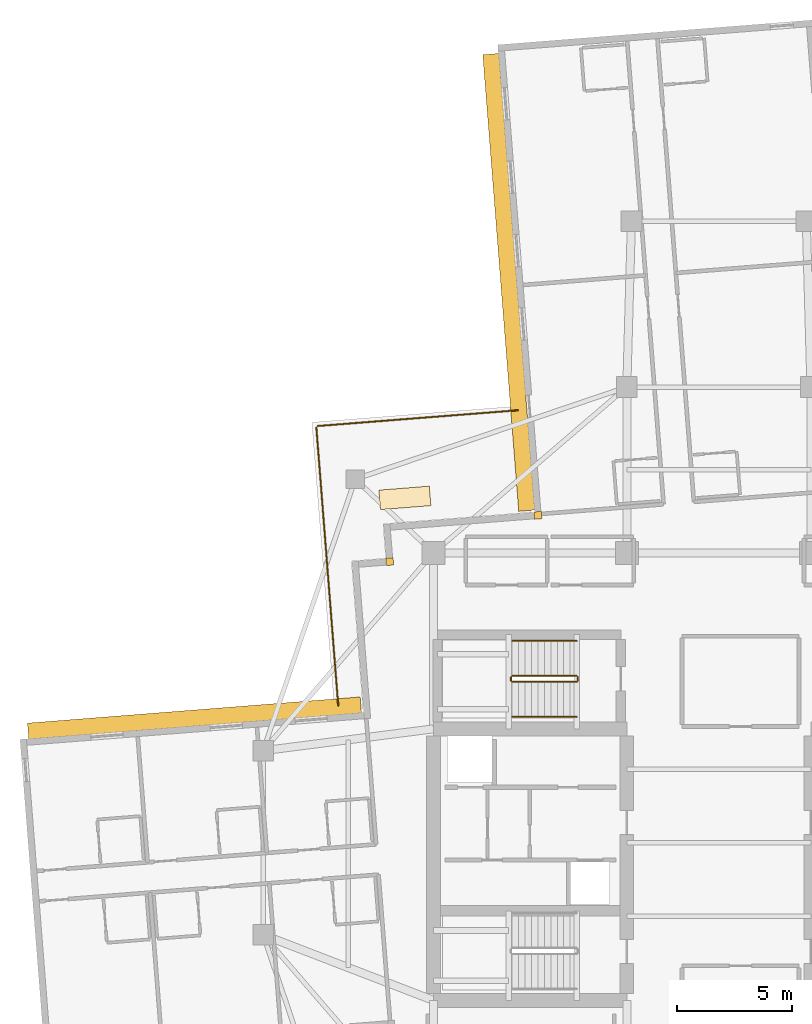
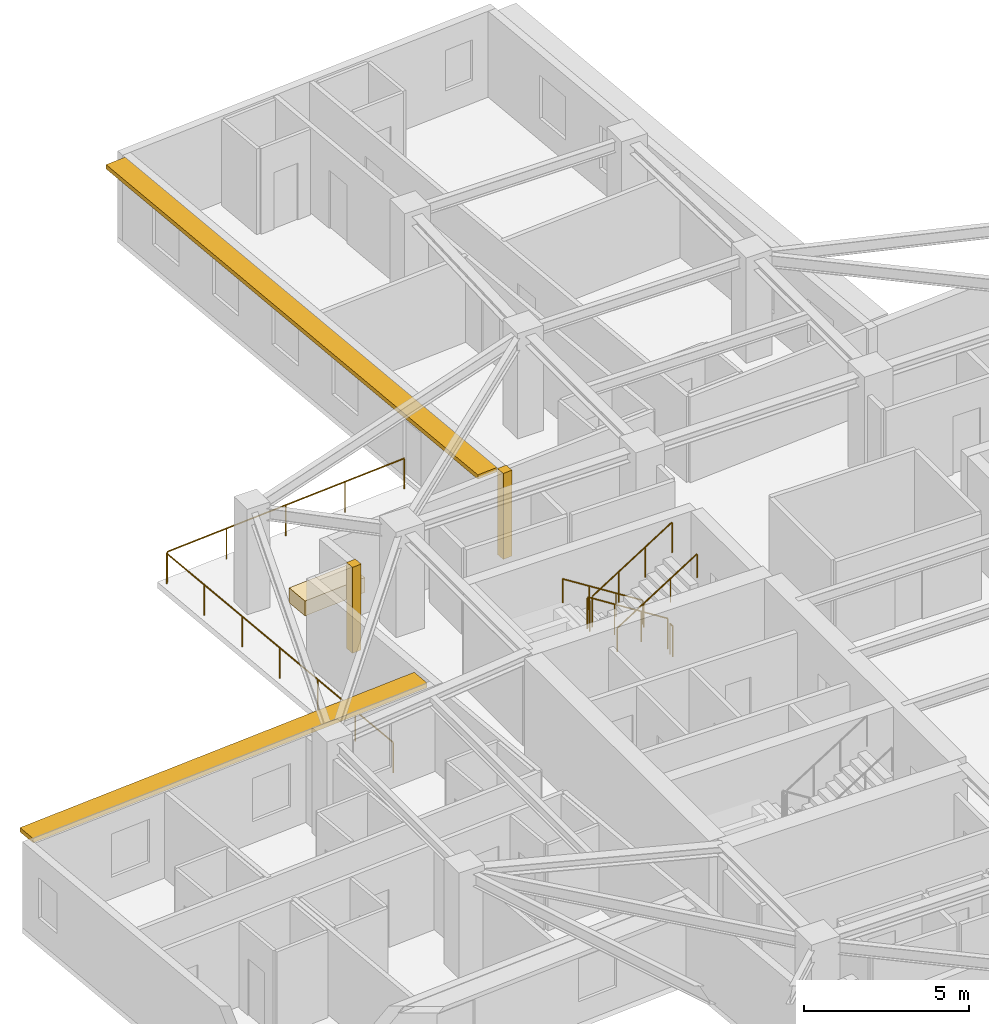
# One storey, part 12 of 13: 8 railings, 3 coverings, 2 shading devices.
"""IFC4 building model written with IfcOpenShell, lengths in metres."""

from ifc_helpers import new_model, si_unit, direction, frame, origin, origin_2d, place, context, subcontext, project, spatial, rectangle, circle, extrude, material, layer, layer_set, type_object, element, save


model = new_model("IFC4")

# Units and contexts
model_context = context("Model", 3, precision=1e-05, world=origin(), true_north=direction((0.0, 1.0)))
body_context = subcontext(model_context, "Body", "Model", "MODEL_VIEW")
ifc_project = project(units=[si_unit("LENGTHUNIT", "METRE"), si_unit("AREAUNIT", "SQUARE_METRE"), si_unit("VOLUMEUNIT", "CUBIC_METRE"), si_unit("PLANEANGLEUNIT", "RADIAN"), si_unit("MASSUNIT", "GRAM", prefix="KILO")], contexts=[model_context])

# Site, building, storey
site_placement = place(None, origin())
site = spatial("IfcSite", under=ifc_project, at=site_placement, CompositionType="ELEMENT")
building_placement = place(site_placement, origin())
building = spatial("IfcBuilding", under=site, at=building_placement, Name="Qingluan Cross Belvedere", CompositionType="ELEMENT")
storey_placement = place(building_placement, frame((0.0, 0.0, 205.199951171875)))
storey = spatial("IfcBuildingStorey", under=building, at=storey_placement, Name="L51", CompositionType="ELEMENT", Elevation=205.199951171875)

# Coverings
ifc_material_1 = material(Name="Precast concrete C45", Category="concrete")
ifc_layer_1 = layer(ifc_material_1, 0.1201171875, Name="ConcreteSpandrelCladding_120")
ifc_layer_set_1 = layer_set([ifc_layer_1], Name="Precast concrete C45")
covering_type_1 = type_object("IfcCoveringType", Name="ConcreteSpandrelCladding_120", PredefinedType="CLADDING", material=ifc_layer_set_1)
for number, where, z_axis, x_axis, name in (
    (1, (-14.302490234375, 12.215576171875, 0.0), (0.0, 0.0, 1.0), (0.996917333733, 0.078459095728, 0.0), "Corner closure L51-NW1"),
    (2, (-7.860595703125, 14.22705078125, 0.0), (0.0, 0.0, 1.0), (0.996917333733, 0.078459095728, 0.0), "Corner closure L51-NW2"),
):
    element("IfcCovering", number, at=place(storey_placement, frame(where, z_axis=z_axis, x_axis=x_axis)), inside=storey, type_object=covering_type_1, Name=name, PredefinedType="CLADDING", context=body_context, shape_type="SweptSolid", body=[
        extrude(rectangle(XDim=0.320068359375, YDim=0.320068359375, at=origin_2d()), origin(), (0.0, 0.0, 1.0), 3.179931640625),
    ])

# Shading devices
ifc_material_2 = material(Name="Precast concrete C45", Category="concrete")
ifc_layer_2 = layer(ifc_material_2, 0.139892578125, Name="ConcreteSunshadeBand_700")
ifc_layer_set_2 = layer_set([ifc_layer_2], Name="Precast concrete C45")
shading_device_type = type_object("IfcShadingDeviceType", Name="ConcreteSunshadeBand_700", PredefinedType="USERDEFINED", material=ifc_layer_set_2)
shading_device_1_placement = place(storey_placement, frame((-9.128662109375, 24.348876953125, 3.0), z_axis=(0.0, 0.0, 1.0), x_axis=(0.078457869429, -0.996917430244, 0.0)))
element("IfcShadingDevice", 3, at=shading_device_1_placement, inside=storey, type_object=shading_device_type, Name="Concrete SUNSHADE L51-NB", ObjectType="SUNSHADE", PredefinedType="USERDEFINED", context=body_context, shape_type="SweptSolid", body=[
    extrude(rectangle(XDim=19.89990234375, YDim=0.699951171875, at=origin_2d()), origin(), (0.0, 0.0, 1.0), 0.159912109375),
])
shading_device_2_placement = place(storey_placement, frame((-22.785400390625, 5.4189453125, 3.0), z_axis=(0.0, 0.0, 1.0), x_axis=(-0.996917599256, -0.078455721862, 0.0)))
element("IfcShadingDevice", 4, at=shading_device_2_placement, inside=storey, type_object=shading_device_type, Name="Concrete SUNSHADE L51-WA", ObjectType="SUNSHADE", PredefinedType="USERDEFINED", context=body_context, shape_type="SweptSolid", body=[
    extrude(rectangle(XDim=14.5, YDim=0.699951171875, at=origin_2d()), origin(), (0.0, 0.0, 1.0), 0.159912109375),
])

# Railings
ifc_material_3 = material(Name="Brushed stainless steel tubular handrail", Category="steel")
railing_type_1 = type_object("IfcRailingType", Name="StairPitchHandrail_900", PredefinedType="HANDRAIL", material=ifc_material_3)
railing_1_placement = place(storey_placement, frame((-6.179931640625, 8.77001953125, 0.17724609375)))
element("IfcRailing", 5, at=railing_1_placement, inside=storey, type_object=railing_type_1, Name="L51 ST3 stair handrail 1", PredefinedType="HANDRAIL", context=body_context, shape_type="SweptSolid", body=[
    extrude(circle(Radius=0.02392578125, at=origin_2d()), frame((0.0, 0.0, 0.8759765625), z_axis=(-0.844908973607, 0.0, 0.534910110503), x_axis=(0.0, -1.0, 0.0)), (0.0, 0.0, 1.0), 3.31396484375),
    extrude(circle(Radius=0.02099609375, at=origin_2d()), origin(), (0.0, 0.0, 1.0), 0.851806640625),
    extrude(circle(Radius=0.02099609375, at=origin_2d()), frame((-0.933349609375, 0.0, 0.5908203125)), (0.0, 0.0, 1.0), 0.851806640625),
    extrude(circle(Radius=0.02099609375, at=origin_2d()), frame((-1.86669921875, 0.0, 1.181884765625)), (0.0, 0.0, 1.0), 0.851806640625),
    extrude(circle(Radius=0.02099609375, at=origin_2d()), frame((-2.800048828125, 0.0, 1.772705078125)), (0.0, 0.0, 1.0), 0.851806640625),
])
railing_2_placement = place(storey_placement, frame((-8.97998046875, 5.469970703125, 2.12744140625)))
element("IfcRailing", 6, at=railing_2_placement, inside=storey, type_object=railing_type_1, Name="L51 ST3 stair handrail 2", PredefinedType="HANDRAIL", context=body_context, shape_type="SweptSolid", body=[
    extrude(circle(Radius=0.02392578125, at=origin_2d()), frame((0.0, 0.0, 0.8759765625), z_axis=(0.844908973607, 0.0, 0.534910110503), x_axis=(0.0, 1.0, 0.0)), (0.0, 0.0, 1.0), 3.31396484375),
    extrude(circle(Radius=0.02099609375, at=origin_2d()), origin(), (0.0, 0.0, 1.0), 0.851806640625),
    extrude(circle(Radius=0.02099609375, at=origin_2d()), frame((0.933349609375, 0.0, 0.5908203125)), (0.0, 0.0, 1.0), 0.851806640625),
    extrude(circle(Radius=0.02099609375, at=origin_2d()), frame((1.86669921875, 0.0, 1.181884765625)), (0.0, 0.0, 1.0), 0.851806640625),
    extrude(circle(Radius=0.02099609375, at=origin_2d()), frame((2.800048828125, 0.0, 1.772705078125)), (0.0, 0.0, 1.0), 0.851806640625),
])
ifc_material_4 = material(Name="Painted steel stair well guard", Category="steel")
railing_type_2 = type_object("IfcRailingType", Name="StairWellGuard_1150", PredefinedType="BALUSTRADE", material=ifc_material_4)
railing_3_placement = place(storey_placement, frame((-6.179931640625, 7.25, 0.17724609375)))
element("IfcRailing", 7, at=railing_3_placement, inside=storey, type_object=railing_type_2, Name="L51 ST3 stair guard 1", PredefinedType="BALUSTRADE", context=body_context, shape_type="SweptSolid", body=[
    extrude(circle(Radius=0.02392578125, at=origin_2d()), frame((0.0, 0.0, 1.1259765625), z_axis=(-0.844908973607, 0.0, 0.534910110503), x_axis=(0.0, -1.0, 0.0)), (0.0, 0.0, 1.0), 3.31396484375),
    extrude(circle(Radius=0.02099609375, at=origin_2d()), origin(), (0.0, 0.0, 1.0), 1.101806640625),
    extrude(circle(Radius=0.02099609375, at=origin_2d()), frame((-0.933349609375, 0.0, 0.5908203125)), (0.0, 0.0, 1.0), 1.101806640625),
    extrude(circle(Radius=0.02099609375, at=origin_2d()), frame((-1.86669921875, 0.0, 1.181884765625)), (0.0, 0.0, 1.0), 1.101806640625),
    extrude(circle(Radius=0.02099609375, at=origin_2d()), frame((-2.800048828125, 0.0, 1.772705078125)), (0.0, 0.0, 1.0), 1.101806640625),
])
railing_4_placement = place(storey_placement, frame((-9.030029296875, 7.199951171875, 1.949951171875)))
element("IfcRailing", 8, at=railing_4_placement, inside=storey, type_object=railing_type_2, Name="L51 ST3 stair guard 2", PredefinedType="BALUSTRADE", context=body_context, shape_type="SweptSolid", body=[
    extrude(circle(Radius=0.02392578125, at=origin_2d()), frame((0.0, 0.0, 1.1259765625), z_axis=(0.0, -1.0, 0.0), x_axis=(1.0, 0.0, 0.0)), (0.0, 0.0, 1.0), 0.159912109375),
    extrude(circle(Radius=0.02099609375, at=origin_2d()), origin(), (0.0, 0.0, 1.0), 1.101806640625),
    extrude(circle(Radius=0.02099609375, at=origin_2d()), frame((0.0, -0.159912109375, 0.0)), (0.0, 0.0, 1.0), 1.101806640625),
])
railing_5_placement = place(storey_placement, frame((-8.97998046875, 6.989990234375, 2.12744140625)))
element("IfcRailing", 9, at=railing_5_placement, inside=storey, type_object=railing_type_2, Name="L51 ST3 stair guard 3", PredefinedType="BALUSTRADE", context=body_context, shape_type="SweptSolid", body=[
    extrude(circle(Radius=0.02392578125, at=origin_2d()), frame((0.0, 0.0, 1.1259765625), z_axis=(0.844908973607, 0.0, 0.534910110503), x_axis=(0.0, 1.0, 0.0)), (0.0, 0.0, 1.0), 3.31396484375),
    extrude(circle(Radius=0.02099609375, at=origin_2d()), origin(), (0.0, 0.0, 1.0), 1.101806640625),
    extrude(circle(Radius=0.02099609375, at=origin_2d()), frame((0.933349609375, 0.0, 0.5908203125)), (0.0, 0.0, 1.0), 1.101806640625),
    extrude(circle(Radius=0.02099609375, at=origin_2d()), frame((1.86669921875, 0.0, 1.181884765625)), (0.0, 0.0, 1.0), 1.101806640625),
    extrude(circle(Radius=0.02099609375, at=origin_2d()), frame((2.800048828125, 0.0, 1.772705078125)), (0.0, 0.0, 1.0), 1.101806640625),
])
railing_6_placement = place(storey_placement, frame((-6.1298828125, 7.199951171875, 0.0)))
element("IfcRailing", 10, at=railing_6_placement, inside=storey, type_object=railing_type_2, Name="L51 ST3 stair guard 4", PredefinedType="BALUSTRADE", context=body_context, shape_type="SweptSolid", body=[
    extrude(circle(Radius=0.02392578125, at=origin_2d()), frame((0.0, 0.0, 1.1259765625), z_axis=(0.0, -1.0, 0.0), x_axis=(1.0, 0.0, 0.0)), (0.0, 0.0, 1.0), 0.159912109375),
    extrude(circle(Radius=0.02099609375, at=origin_2d()), origin(), (0.0, 0.0, 1.0), 1.101806640625),
    extrude(circle(Radius=0.02099609375, at=origin_2d()), frame((0.0, -0.159912109375, 0.0)), (0.0, 0.0, 1.0), 1.101806640625),
])
ifc_material_5 = material(Name="Laminated glass and stainless steel balustrade", Category="steel")
railing_type_3 = type_object("IfcRailingType", Name="TerraceGuardBalustrade_1150", PredefinedType="BALUSTRADE", material=ifc_material_5)
railing_7_placement = place(storey_placement, frame((-16.538818359375, 5.960693359375, 0.0)))
element("IfcRailing", 11, at=railing_7_placement, inside=storey, type_object=railing_type_3, Name="Terrace guard L51-1", PredefinedType="BALUSTRADE", context=body_context, shape_type="SweptSolid", body=[
    extrude(circle(Radius=0.02392578125, at=origin_2d()), frame((0.0, 0.0, 1.1259765625), z_axis=(-0.078438552314, 0.996918950322, 0.0), x_axis=(-0.996918950322, -0.078438552314, 0.0)), (0.0, 0.0, 1.0), 12.1201171875),
    extrude(circle(Radius=0.02099609375, at=origin_2d()), origin(), (0.0, 0.0, 1.0), 1.101806640625),
    extrude(circle(Radius=0.02099609375, at=origin_2d()), frame((-0.158447265625, 2.013671875, 0.0)), (0.0, 0.0, 1.0), 1.101806640625),
    extrude(circle(Radius=0.02099609375, at=origin_2d()), frame((-0.31689453125, 4.027587890625, 0.0)), (0.0, 0.0, 1.0), 1.101806640625),
    extrude(circle(Radius=0.02099609375, at=origin_2d()), frame((-0.475341796875, 6.04150390625, 0.0)), (0.0, 0.0, 1.0), 1.101806640625),
    extrude(circle(Radius=0.02099609375, at=origin_2d()), frame((-0.6337890625, 8.05517578125, 0.0)), (0.0, 0.0, 1.0), 1.101806640625),
    extrude(circle(Radius=0.02099609375, at=origin_2d()), frame((-0.792236328125, 10.06884765625, 0.0)), (0.0, 0.0, 1.0), 1.101806640625),
    extrude(circle(Radius=0.02099609375, at=origin_2d()), frame((-0.95068359375, 12.082763671875, 0.0)), (0.0, 0.0, 1.0), 1.101806640625),
])
railing_8_placement = place(storey_placement, frame((-17.4345703125, 18.10791015625, 0.0)))
element("IfcRailing", 12, at=railing_8_placement, inside=storey, type_object=railing_type_3, Name="Terrace guard L51-2", PredefinedType="BALUSTRADE", context=body_context, shape_type="SweptSolid", body=[
    extrude(circle(Radius=0.02392578125, at=origin_2d()), frame((0.0, 0.0, 1.1259765625), z_axis=(0.996918232331, 0.078447677123, 0.0), x_axis=(-0.078447677123, 0.996918232331, 0.0)), (0.0, 0.0, 1.0), 8.72021484375),
    extrude(circle(Radius=0.02099609375, at=origin_2d()), origin(), (0.0, 0.0, 1.0), 1.101806640625),
    extrude(circle(Radius=0.02099609375, at=origin_2d()), frame((2.17333984375, 0.1708984375, 0.0)), (0.0, 0.0, 1.0), 1.101806640625),
    extrude(circle(Radius=0.02099609375, at=origin_2d()), frame((4.3466796875, 0.342041015625, 0.0)), (0.0, 0.0, 1.0), 1.101806640625),
    extrude(circle(Radius=0.02099609375, at=origin_2d()), frame((6.52001953125, 0.51318359375, 0.0)), (0.0, 0.0, 1.0), 1.101806640625),
    extrude(circle(Radius=0.02099609375, at=origin_2d()), frame((8.693359375, 0.68408203125, 0.0)), (0.0, 0.0, 1.0), 1.101806640625),
])

# Covering
ifc_material_6 = material(Name="Precast concrete C40", Category="concrete")
ifc_layer_3 = layer(ifc_material_6, 0.550048828125, Name="TerracePlanterBox")
ifc_layer_set_3 = layer_set([ifc_layer_3], Name="Precast concrete C40")
covering_type_2 = type_object("IfcCoveringType", Name="TerracePlanterBox", PredefinedType="USERDEFINED", material=ifc_layer_set_3)
covering_placement = place(storey_placement, frame((-13.64306640625, 14.985107421875, 0.0), z_axis=(0.0, 0.0, 1.0), x_axis=(0.996917333733, 0.078459095728, 0.0)))
element("IfcCovering", 13, at=covering_placement, inside=storey, type_object=covering_type_2, Name="Spiralling winter-garden planter L51", ObjectType="PLANTER", PredefinedType="USERDEFINED", context=body_context, shape_type="SweptSolid", body=[
    extrude(rectangle(XDim=2.199951171875, YDim=0.85009765625, at=origin_2d()), origin(), (0.0, 0.0, 1.0), 0.550048828125),
])

save(model, "model.ifc")
